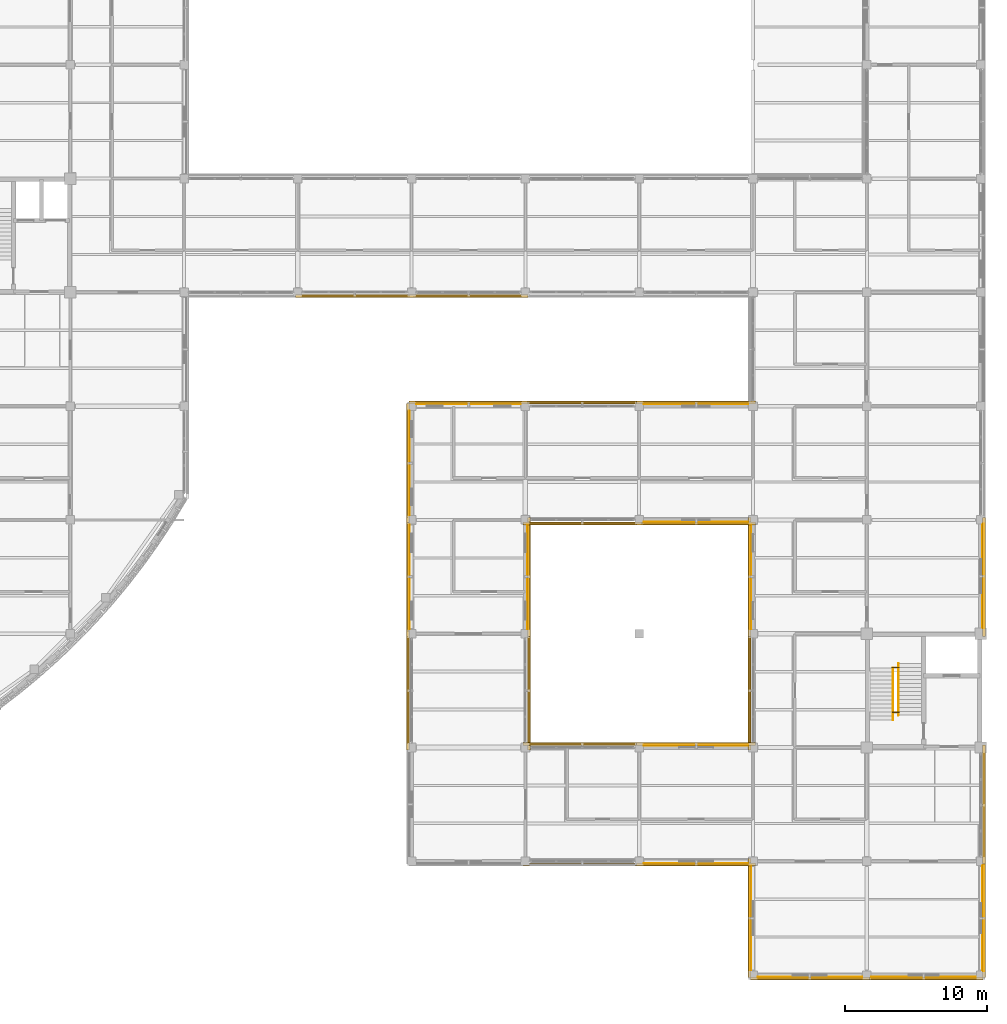
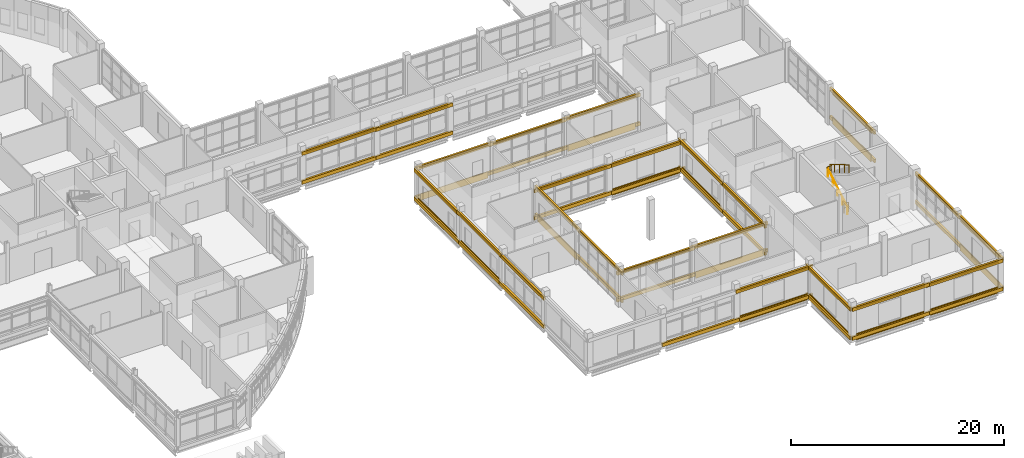
# One storey, part 118 of 121: 61 coverings, 25 shading devices, 4 railings.
"""IFC4 building model written with IfcOpenShell, lengths in metres."""

from ifc_helpers import new_model, si_unit, derived_unit, direction, frame, origin, origin_2d, place, context, subcontext, project, spatial, rectangle, circle, extrude, material, layer, layer_set, material_profile, profile_set, type_object, element, save


model = new_model("IFC4")

# Units and contexts
model_context = context("Model", 3, precision=1e-05, world=origin(), true_north=direction((0.0, 1.0)))
body_context = subcontext(model_context, "Body", "Model", "MODEL_VIEW")
ifc_project = project(units=[si_unit("LENGTHUNIT", "METRE"), si_unit("AREAUNIT", "SQUARE_METRE"), si_unit("VOLUMEUNIT", "CUBIC_METRE"), si_unit("PLANEANGLEUNIT", "RADIAN"), si_unit("MASSUNIT", "GRAM", prefix="KILO"), derived_unit("THERMALTRANSMITTANCEUNIT", [(si_unit("MASSUNIT", "GRAM", prefix="KILO"), 1), (si_unit("TIMEUNIT", "SECOND"), -3), (si_unit("THERMODYNAMICTEMPERATUREUNIT", "KELVIN"), -1)])], contexts=[model_context])

# Site, building, storey
site_placement = place(None, origin())
site = spatial("IfcSite", under=ifc_project, at=site_placement, CompositionType="ELEMENT")
building_placement = place(site_placement, origin())
building = spatial("IfcBuilding", under=site, at=building_placement, Name="Veyamyaing Civic Hall", CompositionType="ELEMENT")
storey_placement = place(building_placement, frame((0.0, 0.0, 5.280029296875)))
storey = spatial("IfcBuildingStorey", under=building, at=storey_placement, Name="L01", CompositionType="ELEMENT", Elevation=5.280029296875)

# Coverings
ifc_material_1 = material(Name="Buff sandstone ashlar cladding", Category="masonry")
ifc_layer_1 = layer(ifc_material_1, 0.050048828125, Name="Buff sandstone ashlar cladding")
ifc_layer_set_1 = layer_set([ifc_layer_1], Name="Buff sandstone ashlar cladding")
covering_type_1 = type_object("IfcCoveringType", Name="CL-01", PredefinedType="CLADDING", material=ifc_layer_set_1)
for number, where, z_axis, x_axis, name in (
    (1, (135.843994140625, 28.0, 0.044921875), (0.0, 0.0, 1.0), (0.0, 1.0, 0.0), "Facade spandrel cladding CL-01 L01 W 18.4"),
    (2, (144.156005859375, 28.0, 0.044921875), (0.0, 0.0, 1.0), (0.0, 1.0, 0.0), "Facade spandrel cladding CL-01 L01 E 18.4"),
    (3, (140.0, 40.156005859375, 0.044921875), (0.0, 0.0, 1.0), (1.0, 0.0, 0.0), "Facade spandrel cladding CL-01 L01 N 18.5"),
    (4, (135.843994140625, 36.0, 0.044921875), (0.0, 0.0, 1.0), (0.0, 1.0, 0.0), "Facade spandrel cladding CL-01 L01 W 18.5"),
    (5, (156.0, 7.843994140625, 0.044921875), (0.0, 0.0, 1.0), (1.0, 0.0, 0.0), "Facade spandrel cladding CL-01 L01 S 20.2"),
    (6, (156.0, 16.156005859375, 0.044921875), (0.0, 0.0, 1.0), (1.0, 0.0, 0.0), "Facade spandrel cladding CL-01 L01 N 20.2"),
    (7, (156.0, 31.843994140625, 0.044921875), (0.0, 0.0, 1.0), (1.0, 0.0, 0.0), "Facade spandrel cladding CL-01 L01 S 20.5"),
    (8, (156.0, 40.156005859375, 0.044921875), (0.0, 0.0, 1.0), (1.0, 0.0, 0.0), "Facade spandrel cladding CL-01 L01 N 20.5"),
    (9, (164.0, -0.156005859375, 0.044921875), (0.0, 0.0, 1.0), (1.0, 0.0, 0.0), "Facade spandrel cladding CL-01 L01 S 21.1"),
    (10, (159.843994140625, 4.0, 0.044921875), (0.0, 0.0, 1.0), (0.0, 1.0, 0.0), "Facade spandrel cladding CL-01 L01 W 21.1"),
    (11, (159.843994140625, 28.0, 0.044921875), (0.0, 0.0, 1.0), (0.0, 1.0, 0.0), "Facade spandrel cladding CL-01 L01 W 21.4"),
    (12, (172.0, -0.156005859375, 0.044921875), (0.0, 0.0, 1.0), (1.0, 0.0, 0.0), "Facade spandrel cladding CL-01 L01 S 22.1"),
    (13, (176.156005859375, 4.0, 0.044921875), (0.0, 0.0, 1.0), (0.0, 1.0, 0.0), "Facade spandrel cladding CL-01 L01 E 22.1"),
):
    element("IfcCovering", number, at=place(storey_placement, frame(where, z_axis=z_axis, x_axis=x_axis)), inside=storey, type_object=covering_type_1, Name=name, PredefinedType="CLADDING", context=body_context, shape_type="SweptSolid", body=[
        extrude(rectangle(XDim=7.35009765625, YDim=0.050048828125, at=origin_2d()), origin(), (0.0, 0.0, 1.0), 0.75),
    ])
covering_placement = place(storey_placement, frame((176.156005859375, 28.050048828125, 0.044921875), z_axis=(0.0, 0.0, 1.0), x_axis=(0.0, 1.0, 0.0)))
element("IfcCovering", 14, at=covering_placement, inside=storey, type_object=covering_type_1, Name="Facade spandrel cladding CL-01 L01 E 22.4", PredefinedType="CLADDING", context=body_context, shape_type="SweptSolid", body=[
    extrude(rectangle(XDim=7.25, YDim=0.050048828125, at=origin_2d()), origin(), (0.0, 0.0, 1.0), 0.75),
])
ifc_material_2 = material(Name="White powder-coated aluminium 6063-T6", Category="aluminium")
ifc_layer_2 = layer(ifc_material_2, 0.2099609375, Name="White powder-coated aluminium 6063-T6")
ifc_layer_set_2 = layer_set([ifc_layer_2], Name="White powder-coated aluminium 6063-T6")
covering_type_2 = type_object("IfcCoveringType", Name="CL-03", PredefinedType="CLADDING", material=ifc_layer_set_2)
for number, where, z_axis, x_axis, name in (
    (15, (132.0, 47.760009765625, 3.596923828125), (0.0, 0.0, 1.0), (1.0, 0.0, 0.0), "Continuous white head fascia ribbon CL-03 L01 S 17.7"),
    (16, (132.0, 47.760009765625, 0.280029296875), (0.0, 0.0, 1.0), (1.0, 0.0, 0.0), "Continuous white sill fascia ribbon CL-03 L01 S 17.7"),
    (17, (135.760009765625, 20.0, 3.530029296875), (0.0, 0.0, 1.0), (0.0, 1.0, 0.0), "Continuous white head fascia ribbon CL-03 L01 W 18.3"),
    (18, (135.760009765625, 20.0, 0.280029296875), (0.0, 0.0, 1.0), (0.0, 1.0, 0.0), "Continuous white sill fascia ribbon CL-03 L01 W 18.3"),
    (19, (144.239990234375, 20.0, 3.4140625), (0.0, 0.0, 1.0), (0.0, 1.0, 0.0), "Continuous white head fascia ribbon CL-03 L01 E 18.3"),
    (20, (144.239990234375, 20.0, 0.280029296875), (0.0, 0.0, 1.0), (0.0, 1.0, 0.0), "Continuous white sill fascia ribbon CL-03 L01 E 18.3"),
    (21, (135.760009765625, 28.0, 3.593994140625), (0.0, 0.0, 1.0), (0.0, 1.0, 0.0), "Continuous white head fascia ribbon CL-03 L01 W 18.4"),
    (22, (135.760009765625, 28.0, 0.280029296875), (0.0, 0.0, 1.0), (0.0, 1.0, 0.0), "Continuous white sill fascia ribbon CL-03 L01 W 18.4"),
    (23, (144.239990234375, 28.0, 3.484130859375), (0.0, 0.0, 1.0), (0.0, 1.0, 0.0), "Continuous white head fascia ribbon CL-03 L01 E 18.4"),
    (24, (144.239990234375, 28.0, 0.280029296875), (0.0, 0.0, 1.0), (0.0, 1.0, 0.0), "Continuous white sill fascia ribbon CL-03 L01 E 18.4"),
    (25, (140.0, 40.239990234375, 3.596923828125), (0.0, 0.0, 1.0), (1.0, 0.0, 0.0), "Continuous white head fascia ribbon CL-03 L01 N 18.5"),
    (26, (140.0, 40.239990234375, 0.280029296875), (0.0, 0.0, 1.0), (1.0, 0.0, 0.0), "Continuous white sill fascia ribbon CL-03 L01 N 18.5"),
    (27, (135.760009765625, 36.0, 3.533935546875), (0.0, 0.0, 1.0), (0.0, 1.0, 0.0), "Continuous white head fascia ribbon CL-03 L01 W 18.5"),
    (28, (135.760009765625, 36.0, 0.280029296875), (0.0, 0.0, 1.0), (0.0, 1.0, 0.0), "Continuous white sill fascia ribbon CL-03 L01 W 18.5"),
    (29, (140.0, 47.760009765625, 3.530029296875), (0.0, 0.0, 1.0), (1.0, 0.0, 0.0), "Continuous white head fascia ribbon CL-03 L01 S 18.7"),
    (30, (140.0, 47.760009765625, 0.280029296875), (0.0, 0.0, 1.0), (1.0, 0.0, 0.0), "Continuous white sill fascia ribbon CL-03 L01 S 18.7"),
    (31, (148.0, 7.760009765625, 0.280029296875), (0.0, 0.0, 1.0), (1.0, 0.0, 0.0), "Continuous white sill fascia ribbon CL-03 L01 S 19.2"),
    (32, (148.0, 16.239990234375, 3.339111328125), (0.0, 0.0, 1.0), (1.0, 0.0, 0.0), "Continuous white head fascia ribbon CL-03 L01 N 19.2"),
    (33, (148.0, 16.239990234375, 0.280029296875), (0.0, 0.0, 1.0), (1.0, 0.0, 0.0), "Continuous white sill fascia ribbon CL-03 L01 N 19.2"),
    (34, (148.0, 31.760009765625, 3.39794921875), (0.0, 0.0, 1.0), (1.0, 0.0, 0.0), "Continuous white head fascia ribbon CL-03 L01 S 19.5"),
    (35, (148.0, 31.760009765625, 0.280029296875), (0.0, 0.0, 1.0), (1.0, 0.0, 0.0), "Continuous white sill fascia ribbon CL-03 L01 S 19.5"),
    (36, (148.0, 40.239990234375, 3.530029296875), (0.0, 0.0, 1.0), (1.0, 0.0, 0.0), "Continuous white head fascia ribbon CL-03 L01 N 19.5"),
    (37, (148.0, 40.239990234375, 0.280029296875), (0.0, 0.0, 1.0), (1.0, 0.0, 0.0), "Continuous white sill fascia ribbon CL-03 L01 N 19.5"),
    (38, (156.0, 7.760009765625, 3.593994140625), (0.0, 0.0, 1.0), (1.0, 0.0, 0.0), "Continuous white head fascia ribbon CL-03 L01 S 20.2"),
    (39, (156.0, 7.760009765625, 0.280029296875), (0.0, 0.0, 1.0), (1.0, 0.0, 0.0), "Continuous white sill fascia ribbon CL-03 L01 S 20.2"),
    (40, (156.0, 16.239990234375, 3.4140625), (0.0, 0.0, 1.0), (1.0, 0.0, 0.0), "Continuous white head fascia ribbon CL-03 L01 N 20.2"),
    (41, (156.0, 16.239990234375, 0.280029296875), (0.0, 0.0, 1.0), (1.0, 0.0, 0.0), "Continuous white sill fascia ribbon CL-03 L01 N 20.2"),
    (42, (156.0, 31.760009765625, 3.407958984375), (0.0, 0.0, 1.0), (1.0, 0.0, 0.0), "Continuous white head fascia ribbon CL-03 L01 S 20.5"),
    (43, (156.0, 31.760009765625, 0.280029296875), (0.0, 0.0, 1.0), (1.0, 0.0, 0.0), "Continuous white sill fascia ribbon CL-03 L01 S 20.5"),
    (44, (156.0, 40.239990234375, 3.593994140625), (0.0, 0.0, 1.0), (1.0, 0.0, 0.0), "Continuous white head fascia ribbon CL-03 L01 N 20.5"),
    (45, (156.0, 40.239990234375, 0.280029296875), (0.0, 0.0, 1.0), (1.0, 0.0, 0.0), "Continuous white sill fascia ribbon CL-03 L01 N 20.5"),
    (46, (164.0, -0.239990234375, 3.593994140625), (0.0, 0.0, 1.0), (1.0, 0.0, 0.0), "Continuous white head fascia ribbon CL-03 L01 S 21.1"),
    (47, (164.0, -0.239990234375, 0.280029296875), (0.0, 0.0, 1.0), (1.0, 0.0, 0.0), "Continuous white sill fascia ribbon CL-03 L01 S 21.1"),
    (48, (159.760009765625, 4.0, 3.593994140625), (0.0, 0.0, 1.0), (0.0, 1.0, 0.0), "Continuous white head fascia ribbon CL-03 L01 W 21.1"),
    (49, (159.760009765625, 4.0, 0.280029296875), (0.0, 0.0, 1.0), (0.0, 1.0, 0.0), "Continuous white sill fascia ribbon CL-03 L01 W 21.1"),
    (50, (159.760009765625, 20.0, 3.407958984375), (0.0, 0.0, 1.0), (0.0, 1.0, 0.0), "Continuous white head fascia ribbon CL-03 L01 W 21.3"),
    (51, (159.760009765625, 20.0, 0.280029296875), (0.0, 0.0, 1.0), (0.0, 1.0, 0.0), "Continuous white sill fascia ribbon CL-03 L01 W 21.3"),
    (52, (159.760009765625, 28.0, 3.47802734375), (0.0, 0.0, 1.0), (0.0, 1.0, 0.0), "Continuous white head fascia ribbon CL-03 L01 W 21.4"),
    (53, (159.760009765625, 28.0, 0.280029296875), (0.0, 0.0, 1.0), (0.0, 1.0, 0.0), "Continuous white sill fascia ribbon CL-03 L01 W 21.4"),
    (54, (172.0, -0.239990234375, 3.533935546875), (0.0, 0.0, 1.0), (1.0, 0.0, 0.0), "Continuous white head fascia ribbon CL-03 L01 S 22.1"),
    (55, (172.0, -0.239990234375, 0.280029296875), (0.0, 0.0, 1.0), (1.0, 0.0, 0.0), "Continuous white sill fascia ribbon CL-03 L01 S 22.1"),
    (56, (176.239990234375, 4.0, 3.596923828125), (0.0, 0.0, 1.0), (0.0, 1.0, 0.0), "Continuous white head fascia ribbon CL-03 L01 E 22.1"),
    (57, (176.239990234375, 4.0, 0.280029296875), (0.0, 0.0, 1.0), (0.0, 1.0, 0.0), "Continuous white sill fascia ribbon CL-03 L01 E 22.1"),
    (58, (176.239990234375, 12.0, 3.530029296875), (0.0, 0.0, 1.0), (0.0, 1.0, 0.0), "Continuous white head fascia ribbon CL-03 L01 E 22.2"),
    (59, (176.239990234375, 12.0, 0.280029296875), (0.0, 0.0, 1.0), (0.0, 1.0, 0.0), "Continuous white sill fascia ribbon CL-03 L01 E 22.2"),
    (60, (176.239990234375, 28.0, 3.533935546875), (0.0, 0.0, 1.0), (0.0, 1.0, 0.0), "Continuous white head fascia ribbon CL-03 L01 E 22.4"),
    (61, (176.239990234375, 28.0, 0.280029296875), (0.0, 0.0, 1.0), (0.0, 1.0, 0.0), "Continuous white sill fascia ribbon CL-03 L01 E 22.4"),
):
    element("IfcCovering", number, at=place(storey_placement, frame(where, z_axis=z_axis, x_axis=x_axis)), inside=storey, type_object=covering_type_2, Name=name, PredefinedType="CLADDING", context=body_context, shape_type="SweptSolid", body=[
        extrude(rectangle(XDim=8.360107421875, YDim=0.2099609375, at=origin_2d()), origin(), (0.0, 0.0, 1.0), 0.39990234375),
    ])

# Shading devices
ifc_material_3 = material(Name="Anodised aluminium 6063-T6", Category="aluminium")
ifc_material_profile_1 = material_profile(ifc_material_3, rectangle(XDim=0.044921875, YDim=0.199951171875, at=origin_2d()), Name="LOUVRE-BLADE-45X200")
ifc_profile_set_1 = profile_set([ifc_material_profile_1], Name="Anodised aluminium 6063-T6")
shading_device_type_1 = type_object("IfcShadingDeviceType", Name="LV-02", PredefinedType="JALOUSIE", material=ifc_profile_set_1)
shading_device_1_placement = place(storey_placement, frame((176.219970703125, 0.284912109375, 3.427001953125), z_axis=(0.0, 1.0, 0.0), x_axis=(-1.0, 0.0, 0.0)))
element("IfcShadingDevice", 62, at=shading_device_1_placement, inside=storey, type_object=shading_device_type_1, Name="Monsoon solar louvre LV-02 L01 E 22.1", PredefinedType="JALOUSIE", context=body_context, shape_type="SweptSolid", body=[
    extrude(rectangle(XDim=0.044921875, YDim=0.199951171875, at=origin_2d()), origin(), (0.0, 0.0, 1.0), 7.43017578125),
])
shading_device_2_placement = place(storey_placement, frame((176.219970703125, 24.385009765625, 3.364013671875), z_axis=(0.0, 1.0, 0.0), x_axis=(-1.0, 0.0, 0.0)))
element("IfcShadingDevice", 63, at=shading_device_2_placement, inside=storey, type_object=shading_device_type_1, Name="Monsoon solar louvre LV-02 L01 E 22.4", PredefinedType="JALOUSIE", context=body_context, shape_type="SweptSolid", body=[
    extrude(rectangle(XDim=0.044921875, YDim=0.199951171875, at=origin_2d()), origin(), (0.0, 0.0, 1.0), 7.330078125),
])

# Railings
ifc_material_4 = material(Name="Steel S355J2", Category="steel")
railing_type_1 = type_object("IfcRailingType", Name="RL-01", PredefinedType="BALUSTRADE", material=ifc_material_4)
railing_1_placement = place(storey_placement, frame((169.780029296875, 21.6298828125, 2.31005859375)))
element("IfcRailing", 64, at=railing_1_placement, inside=storey, type_object=railing_type_1, Name="Half-landing slot guard RL-01 ST-10 L01", PredefinedType="BALUSTRADE", context=body_context, shape_type="SweptSolid", body=[
    extrude(circle(Radius=0.02392578125, at=origin_2d()), frame((0.0, 0.0, 1.076171875), z_axis=(1.0, 0.0, 0.0), x_axis=(0.0, 1.0, 0.0)), (0.0, 0.0, 1.0), 0.489990234375),
    extrude(circle(Radius=0.01416015625, at=origin_2d()), frame((0.0, 0.0, 0.572021484375), z_axis=(1.0, 0.0, 0.0), x_axis=(0.0, 1.0, 0.0)), (0.0, 0.0, 1.0), 0.489990234375),
    extrude(circle(Radius=0.02099609375, at=origin_2d()), origin(), (0.0, 0.0, 1.0), 1.052001953125),
    extrude(circle(Radius=0.02099609375, at=origin_2d()), frame((0.489990234375, 0.0, 0.0)), (0.0, 0.0, 1.0), 1.052001953125),
])
railing_2_placement = place(storey_placement, frame((169.800048828125, 18.47998046875, 0.0)))
element("IfcRailing", 65, at=railing_2_placement, inside=storey, type_object=railing_type_1, Name="Floor-landing slot guard RL-01 ST-10 L01", PredefinedType="BALUSTRADE", context=body_context, shape_type="SweptSolid", body=[
    extrude(circle(Radius=0.02392578125, at=origin_2d()), frame((0.0, 0.0, 1.076171875), z_axis=(1.0, 0.0, 0.0), x_axis=(0.0, 1.0, 0.0)), (0.0, 0.0, 1.0), 0.469970703125),
    extrude(circle(Radius=0.01416015625, at=origin_2d()), frame((0.0, 0.0, 0.572021484375), z_axis=(1.0, 0.0, 0.0), x_axis=(0.0, 1.0, 0.0)), (0.0, 0.0, 1.0), 0.469970703125),
    extrude(circle(Radius=0.02099609375, at=origin_2d()), origin(), (0.0, 0.0, 1.0), 1.052001953125),
    extrude(circle(Radius=0.02099609375, at=origin_2d()), frame((0.469970703125, 0.0, 0.0)), (0.0, 0.0, 1.0), 1.052001953125),
])
railing_type_2 = type_object("IfcRailingType", Name="RL-02", PredefinedType="HANDRAIL", material=ifc_material_4)
railing_3_placement = place(storey_placement, frame((169.840087890625, 17.949951171875, 0.1650390625)))
element("IfcRailing", 66, at=railing_3_placement, inside=storey, type_object=railing_type_2, Name="Stair pitch handrail RL-02 ST-10 L01.1", PredefinedType="HANDRAIL", context=body_context, shape_type="SweptSolid", body=[
    extrude(circle(Radius=0.02392578125, at=origin_2d()), frame((0.0, 0.0, 0.89599609375), z_axis=(0.0, 0.861544779993, 0.507681585313), x_axis=(-1.0, 0.0, 0.0)), (0.0, 0.0, 1.0), 4.22509765625),
    extrude(circle(Radius=0.02099609375, at=origin_2d()), origin(), (0.0, 0.0, 1.0), 0.871826171875),
    extrude(circle(Radius=0.02099609375, at=origin_2d()), frame((0.0, 0.91015625, 0.5361328125)), (0.0, 0.0, 1.0), 0.871826171875),
    extrude(circle(Radius=0.02099609375, at=origin_2d()), frame((0.0, 1.820068359375, 1.072509765625)), (0.0, 0.0, 1.0), 0.871826171875),
    extrude(circle(Radius=0.02099609375, at=origin_2d()), frame((0.0, 2.72998046875, 1.60888671875)), (0.0, 0.0, 1.0), 0.871826171875),
    extrude(circle(Radius=0.02099609375, at=origin_2d()), frame((0.0, 3.64013671875, 2.14501953125)), (0.0, 0.0, 1.0), 0.871826171875),
])
railing_4_placement = place(storey_placement, frame((170.219970703125, 21.909912109375, 2.474853515625)))
element("IfcRailing", 67, at=railing_4_placement, inside=storey, type_object=railing_type_2, Name="Stair pitch handrail RL-02 ST-10 L01.2", PredefinedType="HANDRAIL", context=body_context, shape_type="SweptSolid", body=[
    extrude(circle(Radius=0.02392578125, at=origin_2d()), frame((0.0, 0.0, 0.89599609375), z_axis=(0.0, -0.861529885852, 0.507706860091), x_axis=(1.0, 0.0, 0.0)), (0.0, 0.0, 1.0), 4.224853515625),
    extrude(circle(Radius=0.02099609375, at=origin_2d()), origin(), (0.0, 0.0, 1.0), 0.871826171875),
    extrude(circle(Radius=0.02099609375, at=origin_2d()), frame((0.0, -0.909912109375, 0.5361328125)), (0.0, 0.0, 1.0), 0.871826171875),
    extrude(circle(Radius=0.02099609375, at=origin_2d()), frame((0.0, -1.81982421875, 1.072509765625)), (0.0, 0.0, 1.0), 0.871826171875),
    extrude(circle(Radius=0.02099609375, at=origin_2d()), frame((0.0, -2.72998046875, 1.60888671875)), (0.0, 0.0, 1.0), 0.871826171875),
    extrude(circle(Radius=0.02099609375, at=origin_2d()), frame((0.0, -3.639892578125, 2.14501953125)), (0.0, 0.0, 1.0), 0.871826171875),
])

# Shading devices
ifc_material_profile_2 = material_profile(ifc_material_2, circle(Radius=0.090087890625, at=origin_2d()), Name="SHADE-TUBE-180")
ifc_profile_set_2 = profile_set([ifc_material_profile_2], Name="White powder-coated aluminium 6063-T6")
shading_device_type_2 = type_object("IfcShadingDeviceType", Name="SH-02", PredefinedType="USERDEFINED", material=ifc_profile_set_2)
for number, where, z_axis, x_axis, name in (
    (68, (128.284912109375, 47.760009765625, 3.757080078125), (1.0, 0.0, 0.0), (0.0, 1.0, 0.0), "Horizontal white sunshade ribbon SH-02 L01 S 17.7"),
    (69, (135.760009765625, 16.284912109375, 3.68994140625), (0.0, 1.0, 0.0), (-1.0, 0.0, 0.0), "Horizontal white sunshade ribbon SH-02 L01 W 18.3"),
    (70, (144.239990234375, 16.284912109375, 3.573974609375), (0.0, 1.0, 0.0), (-1.0, 0.0, 0.0), "Horizontal white sunshade ribbon SH-02 L01 E 18.3"),
    (71, (135.760009765625, 24.284912109375, 3.75390625), (0.0, 1.0, 0.0), (-1.0, 0.0, 0.0), "Horizontal white sunshade ribbon SH-02 L01 W 18.4"),
    (72, (144.239990234375, 24.284912109375, 3.64404296875), (0.0, 1.0, 0.0), (-1.0, 0.0, 0.0), "Horizontal white sunshade ribbon SH-02 L01 E 18.4"),
    (73, (136.284912109375, 40.239990234375, 3.757080078125), (1.0, 0.0, 0.0), (0.0, 1.0, 0.0), "Horizontal white sunshade ribbon SH-02 L01 N 18.5"),
    (74, (135.760009765625, 32.284912109375, 3.694091796875), (0.0, 1.0, 0.0), (-1.0, 0.0, 0.0), "Horizontal white sunshade ribbon SH-02 L01 W 18.5"),
    (75, (136.284912109375, 47.760009765625, 3.68994140625), (1.0, 0.0, 0.0), (0.0, 1.0, 0.0), "Horizontal white sunshade ribbon SH-02 L01 S 18.7"),
    (76, (144.284912109375, 16.239990234375, 3.4990234375), (1.0, 0.0, 0.0), (0.0, 1.0, 0.0), "Horizontal white sunshade ribbon SH-02 L01 N 19.2"),
    (77, (144.284912109375, 31.760009765625, 3.557861328125), (1.0, 0.0, 0.0), (0.0, 1.0, 0.0), "Horizontal white sunshade ribbon SH-02 L01 S 19.5"),
    (78, (144.284912109375, 40.239990234375, 3.68994140625), (1.0, 0.0, 0.0), (0.0, 1.0, 0.0), "Horizontal white sunshade ribbon SH-02 L01 N 19.5"),
    (79, (152.284912109375, 7.760009765625, 3.75390625), (1.0, 0.0, 0.0), (0.0, 1.0, 0.0), "Horizontal white sunshade ribbon SH-02 L01 S 20.2"),
    (80, (152.284912109375, 16.239990234375, 3.573974609375), (1.0, 0.0, 0.0), (0.0, 1.0, 0.0), "Horizontal white sunshade ribbon SH-02 L01 N 20.2"),
    (81, (152.284912109375, 31.760009765625, 3.56787109375), (1.0, 0.0, 0.0), (0.0, 1.0, 0.0), "Horizontal white sunshade ribbon SH-02 L01 S 20.5"),
    (82, (152.284912109375, 40.239990234375, 3.75390625), (1.0, 0.0, 0.0), (0.0, 1.0, 0.0), "Horizontal white sunshade ribbon SH-02 L01 N 20.5"),
    (83, (160.284912109375, -0.239990234375, 3.75390625), (1.0, 0.0, 0.0), (0.0, 1.0, 0.0), "Horizontal white sunshade ribbon SH-02 L01 S 21.1"),
    (84, (159.760009765625, 0.284912109375, 3.75390625), (0.0, 1.0, 0.0), (-1.0, 0.0, 0.0), "Horizontal white sunshade ribbon SH-02 L01 W 21.1"),
    (85, (159.760009765625, 16.284912109375, 3.56787109375), (0.0, 1.0, 0.0), (-1.0, 0.0, 0.0), "Horizontal white sunshade ribbon SH-02 L01 W 21.3"),
    (86, (159.760009765625, 24.284912109375, 3.637939453125), (0.0, 1.0, 0.0), (-1.0, 0.0, 0.0), "Horizontal white sunshade ribbon SH-02 L01 W 21.4"),
    (87, (168.284912109375, -0.239990234375, 3.694091796875), (1.0, 0.0, 0.0), (0.0, 1.0, 0.0), "Horizontal white sunshade ribbon SH-02 L01 S 22.1"),
    (88, (176.239990234375, 0.284912109375, 3.757080078125), (0.0, 1.0, 0.0), (-1.0, 0.0, 0.0), "Horizontal white sunshade ribbon SH-02 L01 E 22.1"),
):
    element("IfcShadingDevice", number, at=place(storey_placement, frame(where, z_axis=z_axis, x_axis=x_axis)), inside=storey, type_object=shading_device_type_2, Name=name, ObjectType="SUNSHADE", PredefinedType="USERDEFINED", context=body_context, shape_type="SweptSolid", body=[
        extrude(circle(Radius=0.090087890625, at=origin_2d()), origin(), (0.0, 0.0, 1.0), 7.43017578125),
    ])
for number, where, z_axis, x_axis, name in (
    (89, (176.239990234375, 8.284912109375, 3.68994140625), (0.0, 1.0, 0.0), (-1.0, 0.0, 0.0), "Horizontal white sunshade ribbon SH-02 L01 E 22.2"),
    (90, (176.239990234375, 24.385009765625, 3.694091796875), (0.0, 1.0, 0.0), (-1.0, 0.0, 0.0), "Horizontal white sunshade ribbon SH-02 L01 E 22.4"),
):
    element("IfcShadingDevice", number, at=place(storey_placement, frame(where, z_axis=z_axis, x_axis=x_axis)), inside=storey, type_object=shading_device_type_2, Name=name, ObjectType="SUNSHADE", PredefinedType="USERDEFINED", context=body_context, shape_type="SweptSolid", body=[
        extrude(circle(Radius=0.090087890625, at=origin_2d()), origin(), (0.0, 0.0, 1.0), 7.330078125),
    ])

save(model, "model.ifc")
